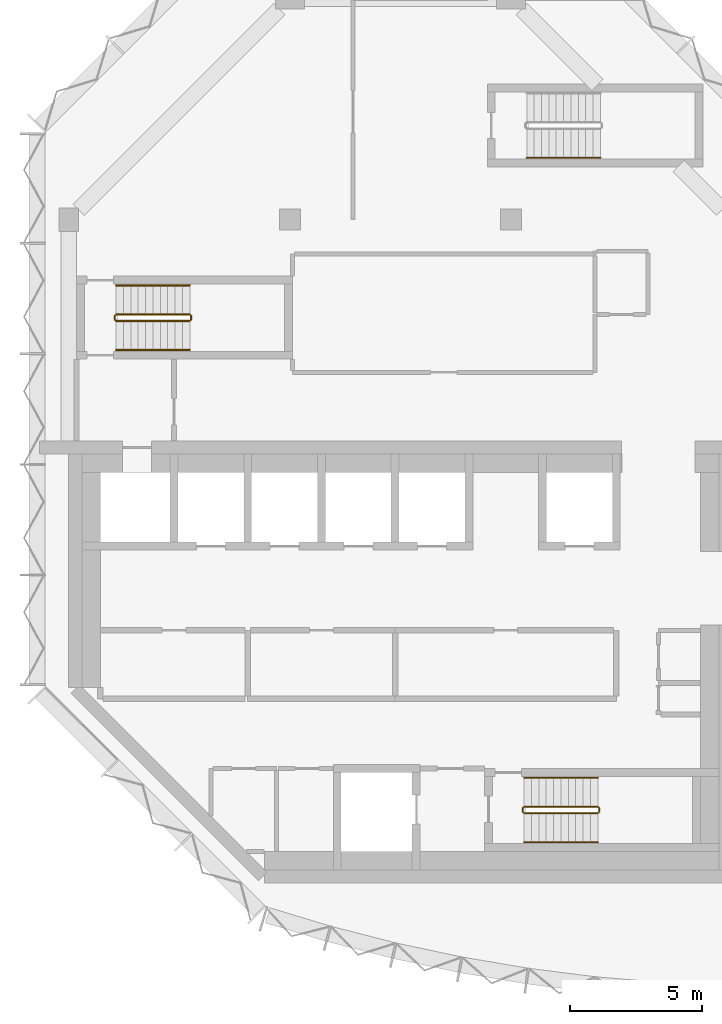
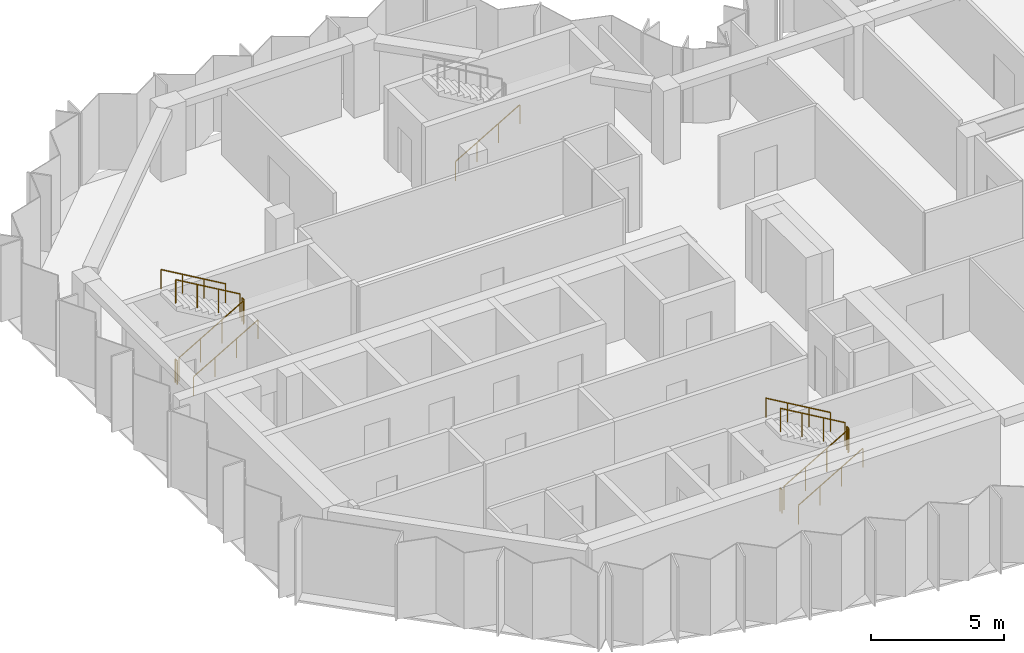
# One storey, part 10 of 11: 13 railings.
"""IFC4 building model written with IfcOpenShell, lengths in metres."""

from ifc_helpers import new_model, si_unit, direction, frame, origin, origin_2d, place, context, subcontext, project, spatial, circle, extrude, material, type_object, element, save


model = new_model("IFC4")

# Units and contexts
model_context = context("Model", 3, precision=1e-05, world=origin(), true_north=direction((0.0, 1.0)))
body_context = subcontext(model_context, "Body", "Model", "MODEL_VIEW")
ifc_project = project(units=[si_unit("LENGTHUNIT", "METRE"), si_unit("AREAUNIT", "SQUARE_METRE"), si_unit("VOLUMEUNIT", "CUBIC_METRE"), si_unit("PLANEANGLEUNIT", "RADIAN"), si_unit("MASSUNIT", "GRAM", prefix="KILO")], contexts=[model_context])

# Site, building, storey
site_placement = place(None, origin())
site = spatial("IfcSite", under=ifc_project, at=site_placement, CompositionType="ELEMENT")
building_placement = place(site_placement, origin())
building = spatial("IfcBuilding", under=site, at=building_placement, Name="Brevane Broadcast Tower", CompositionType="ELEMENT")
storey_placement = place(building_placement, frame((0.0, 0.0, 219.300048828125)))
storey = spatial("IfcBuildingStorey", under=building, at=storey_placement, Name="L55", CompositionType="ELEMENT", Elevation=219.300048828125)

# Railings
ifc_material = material(Name="Steel S355", Category="steel")
railing_type_1 = type_object("IfcRailingType", Name="Exit stair guard", PredefinedType="GUARDRAIL", material=ifc_material)
railing_1_placement = place(storey_placement, frame((1.800048828125, 21.35009765625, 0.16357421875)))
element("IfcRailing", 1, at=railing_1_placement, inside=storey, type_object=railing_type_1, Name="L55 ST-1 stair guard 1", PredefinedType="GUARDRAIL", context=body_context, shape_type="SweptSolid", body=[
    extrude(circle(Radius=0.02392578125, at=origin_2d()), frame((0.0, 0.0, 1.076171875), z_axis=(0.863360870873, 0.0, 0.504586966384), x_axis=(0.0, 1.0, 0.0)), (0.0, 0.0, 1.0), 3.2431640625),
    extrude(circle(Radius=0.02099609375, at=origin_2d()), origin(), (0.0, 0.0, 1.0), 1.052001953125),
    extrude(circle(Radius=0.02099609375, at=origin_2d()), frame((0.933349609375, 0.0, 0.54541015625)), (0.0, 0.0, 1.0), 1.052001953125),
    extrude(circle(Radius=0.02099609375, at=origin_2d()), frame((1.86669921875, 0.0, 1.091064453125)), (0.0, 0.0, 1.0), 1.052001953125),
    extrude(circle(Radius=0.02099609375, at=origin_2d()), frame((2.800048828125, 0.0, 1.636474609375)), (0.0, 0.0, 1.0), 1.052001953125),
])
railing_2_placement = place(storey_placement, frame((4.64990234375, 21.39990234375, 1.800048828125)))
element("IfcRailing", 2, at=railing_2_placement, inside=storey, type_object=railing_type_1, Name="L55 ST-1 stair guard 2", PredefinedType="GUARDRAIL", context=body_context, shape_type="SweptSolid", body=[
    extrude(circle(Radius=0.02392578125, at=origin_2d()), frame((0.0, 0.0, 1.076171875), z_axis=(0.0, 1.0, 0.0), x_axis=(-1.0, 0.0, 0.0)), (0.0, 0.0, 1.0), 0.150146484375),
    extrude(circle(Radius=0.02099609375, at=origin_2d()), origin(), (0.0, 0.0, 1.0), 1.052001953125),
    extrude(circle(Radius=0.02099609375, at=origin_2d()), frame((0.0, 0.150146484375, 0.0)), (0.0, 0.0, 1.0), 1.052001953125),
])
railing_3_placement = place(storey_placement, frame((4.60009765625, 21.60009765625, 1.963623046875)))
element("IfcRailing", 3, at=railing_3_placement, inside=storey, type_object=railing_type_1, Name="L55 ST-1 stair guard 3", PredefinedType="GUARDRAIL", context=body_context, shape_type="SweptSolid", body=[
    extrude(circle(Radius=0.02392578125, at=origin_2d()), frame((0.0, 0.0, 1.076171875), z_axis=(-0.863393664356, 0.0, 0.504530851732), x_axis=(0.0, -1.0, 0.0)), (0.0, 0.0, 1.0), 3.2431640625),
    extrude(circle(Radius=0.02099609375, at=origin_2d()), origin(), (0.0, 0.0, 1.0), 1.052001953125),
    extrude(circle(Radius=0.02099609375, at=origin_2d()), frame((-0.933349609375, 0.0, 0.54541015625)), (0.0, 0.0, 1.0), 1.052001953125),
    extrude(circle(Radius=0.02099609375, at=origin_2d()), frame((-1.86669921875, 0.0, 1.0908203125)), (0.0, 0.0, 1.0), 1.052001953125),
    extrude(circle(Radius=0.02099609375, at=origin_2d()), frame((-2.800048828125, 0.0, 1.63623046875)), (0.0, 0.0, 1.0), 1.052001953125),
])
railing_4_placement = place(storey_placement, frame((1.75, 21.39990234375, 0.0)))
element("IfcRailing", 4, at=railing_4_placement, inside=storey, type_object=railing_type_1, Name="L55 ST-1 stair guard 4", PredefinedType="GUARDRAIL", context=body_context, shape_type="SweptSolid", body=[
    extrude(circle(Radius=0.02392578125, at=origin_2d()), frame((0.0, 0.0, 1.076171875), z_axis=(0.0, 1.0, 0.0), x_axis=(-1.0, 0.0, 0.0)), (0.0, 0.0, 1.0), 0.150146484375),
    extrude(circle(Radius=0.02099609375, at=origin_2d()), origin(), (0.0, 0.0, 1.0), 1.052001953125),
    extrude(circle(Radius=0.02099609375, at=origin_2d()), frame((0.0, 0.150146484375, 0.0)), (0.0, 0.0, 1.0), 1.052001953125),
])
railing_5_placement = place(storey_placement, frame((17.300048828125, 2.64990234375, 0.16357421875)))
element("IfcRailing", 5, at=railing_5_placement, inside=storey, type_object=railing_type_1, Name="L55 ST-2 stair guard 1", PredefinedType="GUARDRAIL", context=body_context, shape_type="SweptSolid", body=[
    extrude(circle(Radius=0.02392578125, at=origin_2d()), frame((0.0, 0.0, 1.076171875), z_axis=(0.863360870873, 0.0, 0.504586966384), x_axis=(0.0, 1.0, 0.0)), (0.0, 0.0, 1.0), 3.2431640625),
    extrude(circle(Radius=0.02099609375, at=origin_2d()), origin(), (0.0, 0.0, 1.0), 1.052001953125),
    extrude(circle(Radius=0.02099609375, at=origin_2d()), frame((0.933349609375, 0.0, 0.54541015625)), (0.0, 0.0, 1.0), 1.052001953125),
    extrude(circle(Radius=0.02099609375, at=origin_2d()), frame((1.86669921875, 0.0, 1.091064453125)), (0.0, 0.0, 1.0), 1.052001953125),
    extrude(circle(Radius=0.02099609375, at=origin_2d()), frame((2.800048828125, 0.0, 1.636474609375)), (0.0, 0.0, 1.0), 1.052001953125),
])
railing_6_placement = place(storey_placement, frame((20.14990234375, 2.699951171875, 1.800048828125)))
element("IfcRailing", 6, at=railing_6_placement, inside=storey, type_object=railing_type_1, Name="L55 ST-2 stair guard 2", PredefinedType="GUARDRAIL", context=body_context, shape_type="SweptSolid", body=[
    extrude(circle(Radius=0.02392578125, at=origin_2d()), frame((0.0, 0.0, 1.076171875), z_axis=(0.0, 1.0, 0.0), x_axis=(-1.0, 0.0, 0.0)), (0.0, 0.0, 1.0), 0.150146484375),
    extrude(circle(Radius=0.02099609375, at=origin_2d()), origin(), (0.0, 0.0, 1.0), 1.052001953125),
    extrude(circle(Radius=0.02099609375, at=origin_2d()), frame((0.0, 0.150146484375, 0.0)), (0.0, 0.0, 1.0), 1.052001953125),
])
railing_7_placement = place(storey_placement, frame((20.10009765625, 2.89990234375, 1.963623046875)))
element("IfcRailing", 7, at=railing_7_placement, inside=storey, type_object=railing_type_1, Name="L55 ST-2 stair guard 3", PredefinedType="GUARDRAIL", context=body_context, shape_type="SweptSolid", body=[
    extrude(circle(Radius=0.02392578125, at=origin_2d()), frame((0.0, 0.0, 1.076171875), z_axis=(-0.863393664356, 0.0, 0.504530851732), x_axis=(0.0, -1.0, 0.0)), (0.0, 0.0, 1.0), 3.2431640625),
    extrude(circle(Radius=0.02099609375, at=origin_2d()), origin(), (0.0, 0.0, 1.0), 1.052001953125),
    extrude(circle(Radius=0.02099609375, at=origin_2d()), frame((-0.933349609375, 0.0, 0.54541015625)), (0.0, 0.0, 1.0), 1.052001953125),
    extrude(circle(Radius=0.02099609375, at=origin_2d()), frame((-1.86669921875, 0.0, 1.0908203125)), (0.0, 0.0, 1.0), 1.052001953125),
    extrude(circle(Radius=0.02099609375, at=origin_2d()), frame((-2.800048828125, 0.0, 1.63623046875)), (0.0, 0.0, 1.0), 1.052001953125),
])
railing_8_placement = place(storey_placement, frame((17.25, 2.699951171875, 0.0)))
element("IfcRailing", 8, at=railing_8_placement, inside=storey, type_object=railing_type_1, Name="L55 ST-2 stair guard 4", PredefinedType="GUARDRAIL", context=body_context, shape_type="SweptSolid", body=[
    extrude(circle(Radius=0.02392578125, at=origin_2d()), frame((0.0, 0.0, 1.076171875), z_axis=(0.0, 1.0, 0.0), x_axis=(-1.0, 0.0, 0.0)), (0.0, 0.0, 1.0), 0.150146484375),
    extrude(circle(Radius=0.02099609375, at=origin_2d()), origin(), (0.0, 0.0, 1.0), 1.052001953125),
    extrude(circle(Radius=0.02099609375, at=origin_2d()), frame((0.0, 0.150146484375, 0.0)), (0.0, 0.0, 1.0), 1.052001953125),
])
railing_type_2 = type_object("IfcRailingType", Name="Exit stair handrail", PredefinedType="HANDRAIL", material=ifc_material)
railing_9_placement = place(storey_placement, frame((1.800048828125, 20.25, 0.16357421875)))
element("IfcRailing", 9, at=railing_9_placement, inside=storey, type_object=railing_type_2, Name="L55 ST-1 stair handrail 1", PredefinedType="HANDRAIL", context=body_context, shape_type="SweptSolid", body=[
    extrude(circle(Radius=0.02392578125, at=origin_2d()), frame((0.0, 0.0, 0.8759765625), z_axis=(0.863360870873, 0.0, 0.504586966384), x_axis=(0.0, 1.0, 0.0)), (0.0, 0.0, 1.0), 3.2431640625),
    extrude(circle(Radius=0.02099609375, at=origin_2d()), origin(), (0.0, 0.0, 1.0), 0.851806640625),
    extrude(circle(Radius=0.02099609375, at=origin_2d()), frame((0.933349609375, 0.0, 0.54541015625)), (0.0, 0.0, 1.0), 0.851806640625),
    extrude(circle(Radius=0.02099609375, at=origin_2d()), frame((1.86669921875, 0.0, 1.091064453125)), (0.0, 0.0, 1.0), 0.851806640625),
    extrude(circle(Radius=0.02099609375, at=origin_2d()), frame((2.800048828125, 0.0, 1.636474609375)), (0.0, 0.0, 1.0), 0.851806640625),
])
railing_10_placement = place(storey_placement, frame((4.60009765625, 22.699951171875, 1.963623046875)))
element("IfcRailing", 10, at=railing_10_placement, inside=storey, type_object=railing_type_2, Name="L55 ST-1 stair handrail 2", PredefinedType="HANDRAIL", context=body_context, shape_type="SweptSolid", body=[
    extrude(circle(Radius=0.02392578125, at=origin_2d()), frame((0.0, 0.0, 0.8759765625), z_axis=(-0.863393664356, 0.0, 0.504530851732), x_axis=(0.0, -1.0, 0.0)), (0.0, 0.0, 1.0), 3.2431640625),
    extrude(circle(Radius=0.02099609375, at=origin_2d()), origin(), (0.0, 0.0, 1.0), 0.851806640625),
    extrude(circle(Radius=0.02099609375, at=origin_2d()), frame((-0.933349609375, 0.0, 0.54541015625)), (0.0, 0.0, 1.0), 0.851806640625),
    extrude(circle(Radius=0.02099609375, at=origin_2d()), frame((-1.86669921875, 0.0, 1.0908203125)), (0.0, 0.0, 1.0), 0.851806640625),
    extrude(circle(Radius=0.02099609375, at=origin_2d()), frame((-2.800048828125, 0.0, 1.63623046875)), (0.0, 0.0, 1.0), 0.851806640625),
])
railing_11_placement = place(storey_placement, frame((17.300048828125, 1.550048828125, 0.16357421875)))
element("IfcRailing", 11, at=railing_11_placement, inside=storey, type_object=railing_type_2, Name="L55 ST-2 stair handrail 1", PredefinedType="HANDRAIL", context=body_context, shape_type="SweptSolid", body=[
    extrude(circle(Radius=0.02392578125, at=origin_2d()), frame((0.0, 0.0, 0.8759765625), z_axis=(0.863360870873, 0.0, 0.504586966384), x_axis=(0.0, 1.0, 0.0)), (0.0, 0.0, 1.0), 3.2431640625),
    extrude(circle(Radius=0.02099609375, at=origin_2d()), origin(), (0.0, 0.0, 1.0), 0.851806640625),
    extrude(circle(Radius=0.02099609375, at=origin_2d()), frame((0.933349609375, 0.0, 0.54541015625)), (0.0, 0.0, 1.0), 0.851806640625),
    extrude(circle(Radius=0.02099609375, at=origin_2d()), frame((1.86669921875, 0.0, 1.091064453125)), (0.0, 0.0, 1.0), 0.851806640625),
    extrude(circle(Radius=0.02099609375, at=origin_2d()), frame((2.800048828125, 0.0, 1.636474609375)), (0.0, 0.0, 1.0), 0.851806640625),
])
railing_12_placement = place(storey_placement, frame((20.10009765625, 4.0, 1.963623046875)))
element("IfcRailing", 12, at=railing_12_placement, inside=storey, type_object=railing_type_2, Name="L55 ST-2 stair handrail 2", PredefinedType="HANDRAIL", context=body_context, shape_type="SweptSolid", body=[
    extrude(circle(Radius=0.02392578125, at=origin_2d()), frame((0.0, 0.0, 0.8759765625), z_axis=(-0.863393664356, 0.0, 0.504530851732), x_axis=(0.0, -1.0, 0.0)), (0.0, 0.0, 1.0), 3.2431640625),
    extrude(circle(Radius=0.02099609375, at=origin_2d()), origin(), (0.0, 0.0, 1.0), 0.851806640625),
    extrude(circle(Radius=0.02099609375, at=origin_2d()), frame((-0.933349609375, 0.0, 0.54541015625)), (0.0, 0.0, 1.0), 0.851806640625),
    extrude(circle(Radius=0.02099609375, at=origin_2d()), frame((-1.86669921875, 0.0, 1.0908203125)), (0.0, 0.0, 1.0), 0.851806640625),
    extrude(circle(Radius=0.02099609375, at=origin_2d()), frame((-2.800048828125, 0.0, 1.63623046875)), (0.0, 0.0, 1.0), 0.851806640625),
])
railing_13_placement = place(storey_placement, frame((17.39990234375, 27.550048828125, 0.16357421875)))
element("IfcRailing", 13, at=railing_13_placement, inside=storey, type_object=railing_type_2, Name="L55 ST-3 stair handrail 1", PredefinedType="HANDRAIL", context=body_context, shape_type="SweptSolid", body=[
    extrude(circle(Radius=0.02392578125, at=origin_2d()), frame((0.0, 0.0, 0.8759765625), z_axis=(0.863360870873, 0.0, 0.504586966384), x_axis=(0.0, 1.0, 0.0)), (0.0, 0.0, 1.0), 3.2431640625),
    extrude(circle(Radius=0.02099609375, at=origin_2d()), origin(), (0.0, 0.0, 1.0), 0.851806640625),
    extrude(circle(Radius=0.02099609375, at=origin_2d()), frame((0.933349609375, 0.0, 0.54541015625)), (0.0, 0.0, 1.0), 0.851806640625),
    extrude(circle(Radius=0.02099609375, at=origin_2d()), frame((1.86669921875, 0.0, 1.091064453125)), (0.0, 0.0, 1.0), 0.851806640625),
    extrude(circle(Radius=0.02099609375, at=origin_2d()), frame((2.800048828125, 0.0, 1.636474609375)), (0.0, 0.0, 1.0), 0.851806640625),
])

save(model, "model.ifc")
